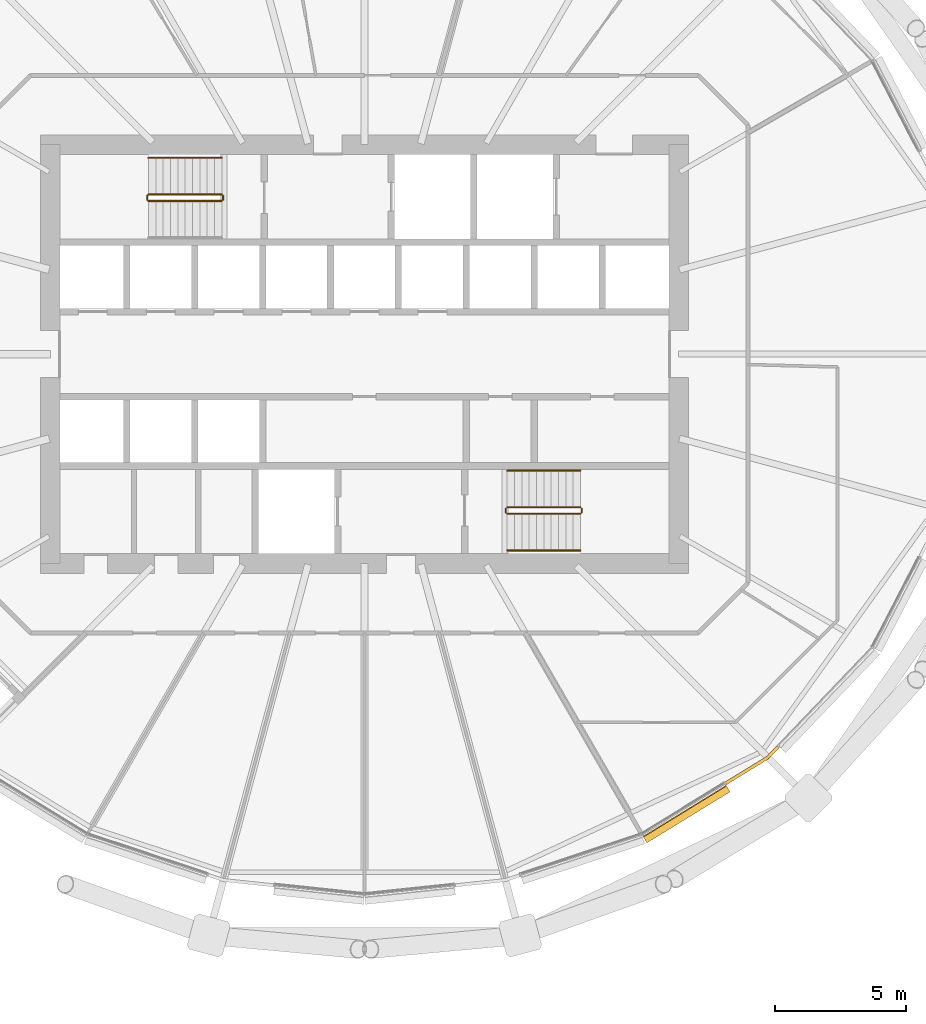
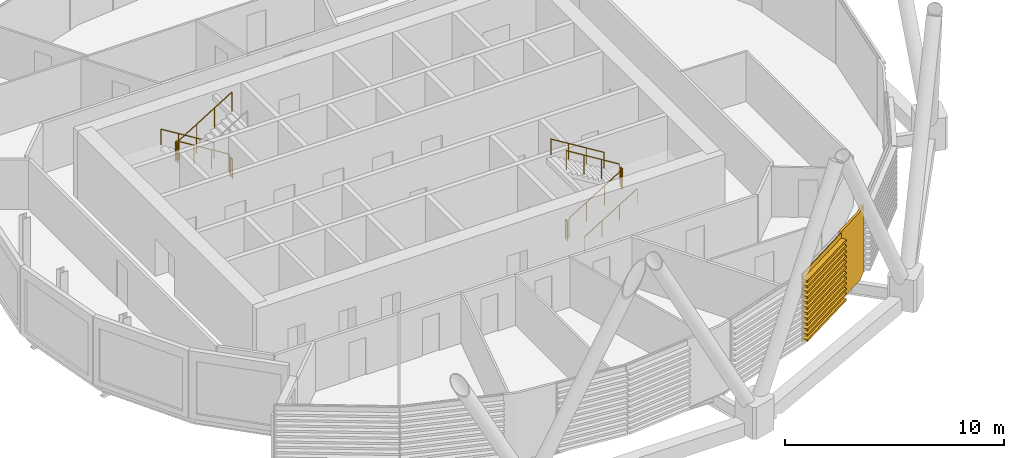
# One storey, part 35 of 39: 11 railings, 2 coverings.
"""IFC4 building model written with IfcOpenShell, lengths in metres."""

from ifc_helpers import new_model, si_unit, direction, frame, origin, origin_2d, place, context, subcontext, project, spatial, polyline, circle, outline, extrude, material, layer, layer_set, material_profile, profile_set, type_object, element, save


model = new_model("IFC4")

# Units and contexts
model_context = context("Model", 3, precision=1e-05, world=origin(), true_north=direction((0.0, 1.0)))
body_context = subcontext(model_context, "Body", "Model", "MODEL_VIEW")
ifc_project = project(units=[si_unit("LENGTHUNIT", "METRE"), si_unit("AREAUNIT", "SQUARE_METRE"), si_unit("VOLUMEUNIT", "CUBIC_METRE"), si_unit("PLANEANGLEUNIT", "RADIAN"), si_unit("MASSUNIT", "GRAM", prefix="KILO")], contexts=[model_context])

# Site, building, storey
site_placement = place(None, origin())
site = spatial("IfcSite", under=ifc_project, at=site_placement, CompositionType="ELEMENT")
building_placement = place(site_placement, origin())
building = spatial("IfcBuilding", under=site, at=building_placement, Name="Rimbun Link Towers", CompositionType="ELEMENT")
storey_placement = place(building_placement, frame((0.0, 0.0, 115.800048828125)))
storey = spatial("IfcBuildingStorey", under=building, at=storey_placement, Name="L28", CompositionType="ELEMENT", Elevation=115.800048828125)

# Covering
ifc_material_1 = material(Name="Terracotta", Category="masonry")
ifc_layer = layer(ifc_material_1, 0.1201171875)
ifc_layer_set = layer_set([ifc_layer], Name="LINK PIER terracotta cladding 120")
covering_type_1 = type_object("IfcCoveringType", Name="LINK PIER terracotta cladding 120", PredefinedType="CLADDING", material=ifc_layer_set)
covering_1_placement = place(storey_placement, origin())
element("IfcCovering", 1, at=covering_1_placement, inside=storey, type_object=covering_type_1, Name="LINK PIER cladding", PredefinedType="CLADDING", context=body_context, shape_type="SweptSolid", body=[
    extrude(outline(polyline([(-15.989990234375, -14.9541015625), (-16.384521484375, -15.365478515625), (-17.97802734375, -16.343994140625), (-17.915283203125, -16.4462890625), (-16.308349609375, -15.459716796875), (-15.9033203125, -15.037109375), (-15.989990234375, -14.9541015625)])), origin(), (0.0, 0.0, 1.0), 3.800048828125),
])

# Railings
ifc_material_2 = material(Name="Stainless steel grade 316", Category="steel")
railing_type_1 = type_object("IfcRailingType", Name="Stair guard", PredefinedType="GUARDRAIL", material=ifc_material_2)
railing_1_placement = place(storey_placement, frame((-37.199951171875, 6.10009765625, 0.172607421875)))
element("IfcRailing", 2, at=railing_1_placement, inside=storey, type_object=railing_type_1, Name="L28 ST1 stair guard 1", PredefinedType="GUARDRAIL", context=body_context, shape_type="SweptSolid", body=[
    extrude(circle(Radius=0.02392578125, at=origin_2d()), frame((0.0, 0.0, 1.076171875), z_axis=(-0.851089632645, 0.0, 0.525020415988), x_axis=(0.0, -1.0, 0.0)), (0.0, 0.0, 1.0), 3.2900390625),
    extrude(circle(Radius=0.02099609375, at=origin_2d()), origin(), (0.0, 0.0, 1.0), 1.052001953125),
    extrude(circle(Radius=0.02099609375, at=origin_2d()), frame((-0.933349609375, 0.0, 0.57568359375)), (0.0, 0.0, 1.0), 1.052001953125),
    extrude(circle(Radius=0.02099609375, at=origin_2d()), frame((-1.86669921875, 0.0, 1.151611328125)), (0.0, 0.0, 1.0), 1.052001953125),
    extrude(circle(Radius=0.02099609375, at=origin_2d()), frame((-2.800048828125, 0.0, 1.727294921875)), (0.0, 0.0, 1.0), 1.052001953125),
])
railing_2_placement = place(storey_placement, frame((-40.050048828125, 6.050048828125, 1.89990234375)))
element("IfcRailing", 3, at=railing_2_placement, inside=storey, type_object=railing_type_1, Name="L28 ST1 stair guard 2", PredefinedType="GUARDRAIL", context=body_context, shape_type="SweptSolid", body=[
    extrude(circle(Radius=0.02392578125, at=origin_2d()), frame((0.0, 0.0, 1.076171875), z_axis=(0.0, -1.0, 0.0), x_axis=(1.0, 0.0, 0.0)), (0.0, 0.0, 1.0), 0.150146484375),
    extrude(circle(Radius=0.02099609375, at=origin_2d()), origin(), (0.0, 0.0, 1.0), 1.052001953125),
    extrude(circle(Radius=0.02099609375, at=origin_2d()), frame((0.0, -0.150146484375, 0.0)), (0.0, 0.0, 1.0), 1.052001953125),
])
railing_3_placement = place(storey_placement, frame((-40.0, 5.85009765625, 2.07275390625)))
element("IfcRailing", 4, at=railing_3_placement, inside=storey, type_object=railing_type_1, Name="L28 ST1 stair guard 3", PredefinedType="GUARDRAIL", context=body_context, shape_type="SweptSolid", body=[
    extrude(circle(Radius=0.02392578125, at=origin_2d()), frame((0.0, 0.0, 1.076171875), z_axis=(0.851089632645, 0.0, 0.525020415988), x_axis=(0.0, 1.0, 0.0)), (0.0, 0.0, 1.0), 3.2900390625),
    extrude(circle(Radius=0.02099609375, at=origin_2d()), origin(), (0.0, 0.0, 1.0), 1.052001953125),
    extrude(circle(Radius=0.02099609375, at=origin_2d()), frame((0.933349609375, 0.0, 0.57568359375)), (0.0, 0.0, 1.0), 1.052001953125),
    extrude(circle(Radius=0.02099609375, at=origin_2d()), frame((1.86669921875, 0.0, 1.151611328125)), (0.0, 0.0, 1.0), 1.052001953125),
    extrude(circle(Radius=0.02099609375, at=origin_2d()), frame((2.800048828125, 0.0, 1.727294921875)), (0.0, 0.0, 1.0), 1.052001953125),
])
railing_4_placement = place(storey_placement, frame((-37.14990234375, 6.050048828125, 0.0)))
element("IfcRailing", 5, at=railing_4_placement, inside=storey, type_object=railing_type_1, Name="L28 ST1 stair guard 4", PredefinedType="GUARDRAIL", context=body_context, shape_type="SweptSolid", body=[
    extrude(circle(Radius=0.02392578125, at=origin_2d()), frame((0.0, 0.0, 1.076171875), z_axis=(0.0, -1.0, 0.0), x_axis=(1.0, 0.0, 0.0)), (0.0, 0.0, 1.0), 0.150146484375),
    extrude(circle(Radius=0.02099609375, at=origin_2d()), origin(), (0.0, 0.0, 1.0), 1.052001953125),
    extrude(circle(Radius=0.02099609375, at=origin_2d()), frame((0.0, -0.150146484375, 0.0)), (0.0, 0.0, 1.0), 1.052001953125),
])
railing_5_placement = place(storey_placement, frame((-26.300048828125, -6.10009765625, 0.172607421875)))
element("IfcRailing", 6, at=railing_5_placement, inside=storey, type_object=railing_type_1, Name="L28 ST2 stair guard 1", PredefinedType="GUARDRAIL", context=body_context, shape_type="SweptSolid", body=[
    extrude(circle(Radius=0.02392578125, at=origin_2d()), frame((0.0, 0.0, 1.076171875), z_axis=(0.851089632645, 0.0, 0.525020415988), x_axis=(0.0, 1.0, 0.0)), (0.0, 0.0, 1.0), 3.2900390625),
    extrude(circle(Radius=0.02099609375, at=origin_2d()), origin(), (0.0, 0.0, 1.0), 1.052001953125),
    extrude(circle(Radius=0.02099609375, at=origin_2d()), frame((0.933349609375, 0.0, 0.57568359375)), (0.0, 0.0, 1.0), 1.052001953125),
    extrude(circle(Radius=0.02099609375, at=origin_2d()), frame((1.86669921875, 0.0, 1.151611328125)), (0.0, 0.0, 1.0), 1.052001953125),
    extrude(circle(Radius=0.02099609375, at=origin_2d()), frame((2.800048828125, 0.0, 1.727294921875)), (0.0, 0.0, 1.0), 1.052001953125),
])
railing_6_placement = place(storey_placement, frame((-23.449951171875, -6.050048828125, 1.89990234375)))
element("IfcRailing", 7, at=railing_6_placement, inside=storey, type_object=railing_type_1, Name="L28 ST2 stair guard 2", PredefinedType="GUARDRAIL", context=body_context, shape_type="SweptSolid", body=[
    extrude(circle(Radius=0.02392578125, at=origin_2d()), frame((0.0, 0.0, 1.076171875), z_axis=(0.0, 1.0, 0.0), x_axis=(-1.0, 0.0, 0.0)), (0.0, 0.0, 1.0), 0.150146484375),
    extrude(circle(Radius=0.02099609375, at=origin_2d()), origin(), (0.0, 0.0, 1.0), 1.052001953125),
    extrude(circle(Radius=0.02099609375, at=origin_2d()), frame((0.0, 0.150146484375, 0.0)), (0.0, 0.0, 1.0), 1.052001953125),
])
railing_7_placement = place(storey_placement, frame((-23.5, -5.85009765625, 2.07275390625)))
element("IfcRailing", 8, at=railing_7_placement, inside=storey, type_object=railing_type_1, Name="L28 ST2 stair guard 3", PredefinedType="GUARDRAIL", context=body_context, shape_type="SweptSolid", body=[
    extrude(circle(Radius=0.02392578125, at=origin_2d()), frame((0.0, 0.0, 1.076171875), z_axis=(-0.851089632645, 0.0, 0.525020415988), x_axis=(0.0, -1.0, 0.0)), (0.0, 0.0, 1.0), 3.2900390625),
    extrude(circle(Radius=0.02099609375, at=origin_2d()), origin(), (0.0, 0.0, 1.0), 1.052001953125),
    extrude(circle(Radius=0.02099609375, at=origin_2d()), frame((-0.933349609375, 0.0, 0.57568359375)), (0.0, 0.0, 1.0), 1.052001953125),
    extrude(circle(Radius=0.02099609375, at=origin_2d()), frame((-1.86669921875, 0.0, 1.151611328125)), (0.0, 0.0, 1.0), 1.052001953125),
    extrude(circle(Radius=0.02099609375, at=origin_2d()), frame((-2.800048828125, 0.0, 1.727294921875)), (0.0, 0.0, 1.0), 1.052001953125),
])
railing_8_placement = place(storey_placement, frame((-26.35009765625, -6.050048828125, 0.0)))
element("IfcRailing", 9, at=railing_8_placement, inside=storey, type_object=railing_type_1, Name="L28 ST2 stair guard 4", PredefinedType="GUARDRAIL", context=body_context, shape_type="SweptSolid", body=[
    extrude(circle(Radius=0.02392578125, at=origin_2d()), frame((0.0, 0.0, 1.076171875), z_axis=(0.0, 1.0, 0.0), x_axis=(-1.0, 0.0, 0.0)), (0.0, 0.0, 1.0), 0.150146484375),
    extrude(circle(Radius=0.02099609375, at=origin_2d()), origin(), (0.0, 0.0, 1.0), 1.052001953125),
    extrude(circle(Radius=0.02099609375, at=origin_2d()), frame((0.0, 0.150146484375, 0.0)), (0.0, 0.0, 1.0), 1.052001953125),
])
ifc_material_3 = material(Name="Stainless steel grade 316", Category="steel")
railing_type_2 = type_object("IfcRailingType", Name="Stair handrail", PredefinedType="HANDRAIL", material=ifc_material_3)
railing_9_placement = place(storey_placement, frame((-37.199951171875, 7.5, 0.172607421875)))
element("IfcRailing", 10, at=railing_9_placement, inside=storey, type_object=railing_type_2, Name="L28 ST1 stair handrail 1", PredefinedType="HANDRAIL", context=body_context, shape_type="SweptSolid", body=[
    extrude(circle(Radius=0.02392578125, at=origin_2d()), frame((0.0, 0.0, 0.8759765625), z_axis=(-0.851089632645, 0.0, 0.525020415988), x_axis=(0.0, -1.0, 0.0)), (0.0, 0.0, 1.0), 3.2900390625),
    extrude(circle(Radius=0.02099609375, at=origin_2d()), origin(), (0.0, 0.0, 1.0), 0.851806640625),
    extrude(circle(Radius=0.02099609375, at=origin_2d()), frame((-0.933349609375, 0.0, 0.57568359375)), (0.0, 0.0, 1.0), 0.851806640625),
    extrude(circle(Radius=0.02099609375, at=origin_2d()), frame((-1.86669921875, 0.0, 1.151611328125)), (0.0, 0.0, 1.0), 0.851806640625),
    extrude(circle(Radius=0.02099609375, at=origin_2d()), frame((-2.800048828125, 0.0, 1.727294921875)), (0.0, 0.0, 1.0), 0.851806640625),
])
railing_10_placement = place(storey_placement, frame((-26.300048828125, -7.5, 0.172607421875)))
element("IfcRailing", 11, at=railing_10_placement, inside=storey, type_object=railing_type_2, Name="L28 ST2 stair handrail 1", PredefinedType="HANDRAIL", context=body_context, shape_type="SweptSolid", body=[
    extrude(circle(Radius=0.02392578125, at=origin_2d()), frame((0.0, 0.0, 0.8759765625), z_axis=(0.851089632645, 0.0, 0.525020415988), x_axis=(0.0, 1.0, 0.0)), (0.0, 0.0, 1.0), 3.2900390625),
    extrude(circle(Radius=0.02099609375, at=origin_2d()), origin(), (0.0, 0.0, 1.0), 0.851806640625),
    extrude(circle(Radius=0.02099609375, at=origin_2d()), frame((0.933349609375, 0.0, 0.57568359375)), (0.0, 0.0, 1.0), 0.851806640625),
    extrude(circle(Radius=0.02099609375, at=origin_2d()), frame((1.86669921875, 0.0, 1.151611328125)), (0.0, 0.0, 1.0), 0.851806640625),
    extrude(circle(Radius=0.02099609375, at=origin_2d()), frame((2.800048828125, 0.0, 1.727294921875)), (0.0, 0.0, 1.0), 0.851806640625),
])
railing_11_placement = place(storey_placement, frame((-23.5, -4.449951171875, 2.07275390625)))
element("IfcRailing", 12, at=railing_11_placement, inside=storey, type_object=railing_type_2, Name="L28 ST2 stair handrail 2", PredefinedType="HANDRAIL", context=body_context, shape_type="SweptSolid", body=[
    extrude(circle(Radius=0.02392578125, at=origin_2d()), frame((0.0, 0.0, 0.8759765625), z_axis=(-0.851089632645, 0.0, 0.525020415988), x_axis=(0.0, -1.0, 0.0)), (0.0, 0.0, 1.0), 3.2900390625),
    extrude(circle(Radius=0.02099609375, at=origin_2d()), origin(), (0.0, 0.0, 1.0), 0.851806640625),
    extrude(circle(Radius=0.02099609375, at=origin_2d()), frame((-0.933349609375, 0.0, 0.57568359375)), (0.0, 0.0, 1.0), 0.851806640625),
    extrude(circle(Radius=0.02099609375, at=origin_2d()), frame((-1.86669921875, 0.0, 1.151611328125)), (0.0, 0.0, 1.0), 0.851806640625),
    extrude(circle(Radius=0.02099609375, at=origin_2d()), frame((-2.800048828125, 0.0, 1.727294921875)), (0.0, 0.0, 1.0), 0.851806640625),
])

# Covering
ifc_material_4 = material(Name="Terracotta", Category="masonry")
ifc_material_profile = material_profile(ifc_material_4, outline(polyline([(0.123046875, 0.0), (0.1630859375, 0.0), (0.1630859375, 0.10009765625), (0.423095703125, 0.10009765625), (0.423095703125, 0.219970703125), (0.1630859375, 0.219970703125), (0.1630859375, 0.39990234375), (0.423095703125, 0.39990234375), (0.423095703125, 0.52001953125), (0.1630859375, 0.52001953125), (0.1630859375, 0.699951171875), (0.423095703125, 0.699951171875), (0.423095703125, 0.820068359375), (0.1630859375, 0.820068359375), (0.1630859375, 1.0), (0.423095703125, 1.0), (0.423095703125, 1.1201171875), (0.1630859375, 1.1201171875), (0.1630859375, 1.300048828125), (0.423095703125, 1.300048828125), (0.423095703125, 1.419921875), (0.1630859375, 1.419921875), (0.1630859375, 1.60009765625), (0.423095703125, 1.60009765625), (0.423095703125, 1.719970703125), (0.1630859375, 1.719970703125), (0.1630859375, 1.89990234375), (0.423095703125, 1.89990234375), (0.423095703125, 2.02001953125), (0.1630859375, 2.02001953125), (0.1630859375, 2.199951171875), (0.423095703125, 2.199951171875), (0.423095703125, 2.320068359375), (0.1630859375, 2.320068359375), (0.1630859375, 2.5), (0.423095703125, 2.5), (0.423095703125, 2.6201171875), (0.1630859375, 2.6201171875), (0.1630859375, 2.800048828125), (0.423095703125, 2.800048828125), (0.423095703125, 2.919921875), (0.1630859375, 2.919921875), (0.1630859375, 3.10009765625), (0.423095703125, 3.10009765625), (0.423095703125, 3.219970703125), (0.1630859375, 3.219970703125), (0.1630859375, 3.39990234375), (0.423095703125, 3.39990234375), (0.423095703125, 3.52001953125), (0.1630859375, 3.52001953125), (0.1630859375, 3.800048828125), (0.123046875, 3.800048828125), (0.123046875, 0.0)])), Name="BAGUETTE 120X300")
ifc_profile_set = profile_set([ifc_material_profile], Name="Terracotta")
covering_type_2 = type_object("IfcCoveringType", Name="TERRACOTTA BAGUETTE 120X300 H3800", PredefinedType="CLADDING", material=ifc_profile_set)
covering_2_placement = place(storey_placement, frame((-18.003662109375, -16.35986328125, 0.0), z_axis=(-0.852175326292, -0.523256355203, 0.0), x_axis=(0.523256355203, -0.852175326292, 0.0)))
element("IfcCovering", 13, at=covering_2_placement, inside=storey, type_object=covering_type_2, Name="TERRACOTTA BAGUETTE", PredefinedType="CLADDING", context=body_context, shape_type="SweptSolid", body=[
    extrude(outline(polyline([(0.123046875, 0.0), (0.1630859375, 0.0), (0.1630859375, 0.10009765625), (0.423095703125, 0.10009765625), (0.423095703125, 0.219970703125), (0.1630859375, 0.219970703125), (0.1630859375, 0.39990234375), (0.423095703125, 0.39990234375), (0.423095703125, 0.52001953125), (0.1630859375, 0.52001953125), (0.1630859375, 0.699951171875), (0.423095703125, 0.699951171875), (0.423095703125, 0.820068359375), (0.1630859375, 0.820068359375), (0.1630859375, 1.0), (0.423095703125, 1.0), (0.423095703125, 1.1201171875), (0.1630859375, 1.1201171875), (0.1630859375, 1.300048828125), (0.423095703125, 1.300048828125), (0.423095703125, 1.419921875), (0.1630859375, 1.419921875), (0.1630859375, 1.60009765625), (0.423095703125, 1.60009765625), (0.423095703125, 1.719970703125), (0.1630859375, 1.719970703125), (0.1630859375, 1.89990234375), (0.423095703125, 1.89990234375), (0.423095703125, 2.02001953125), (0.1630859375, 2.02001953125), (0.1630859375, 2.199951171875), (0.423095703125, 2.199951171875), (0.423095703125, 2.320068359375), (0.1630859375, 2.320068359375), (0.1630859375, 2.5), (0.423095703125, 2.5), (0.423095703125, 2.6201171875), (0.1630859375, 2.6201171875), (0.1630859375, 2.800048828125), (0.423095703125, 2.800048828125), (0.423095703125, 2.919921875), (0.1630859375, 2.919921875), (0.1630859375, 3.10009765625), (0.423095703125, 3.10009765625), (0.423095703125, 3.219970703125), (0.1630859375, 3.219970703125), (0.1630859375, 3.39990234375), (0.423095703125, 3.39990234375), (0.423095703125, 3.52001953125), (0.1630859375, 3.52001953125), (0.1630859375, 3.800048828125), (0.123046875, 3.800048828125), (0.123046875, 0.0)])), origin(), (0.0, 0.0, 1.0), 3.72607421875),
])

save(model, "model.ifc")
